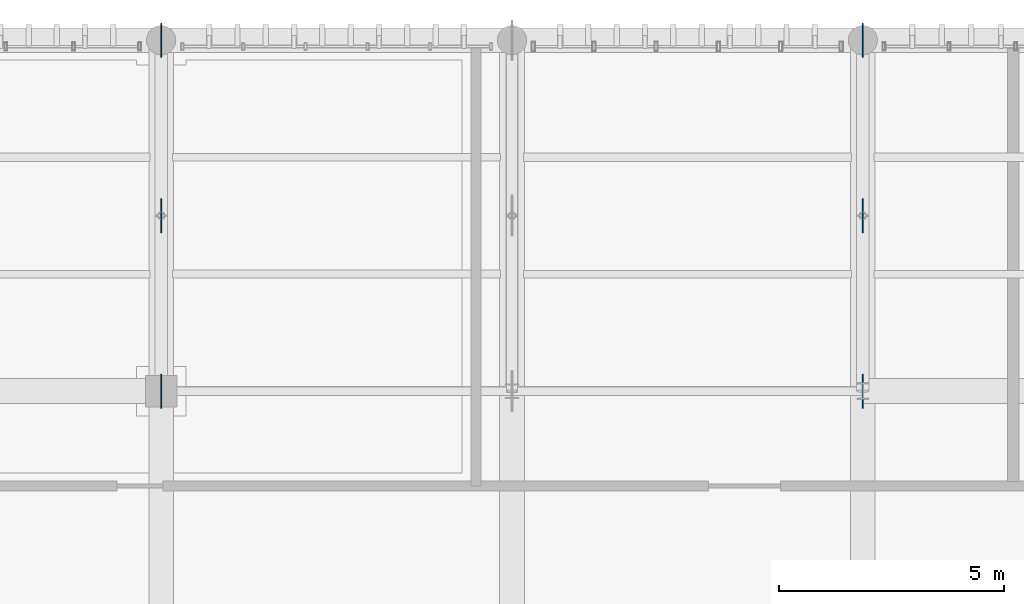
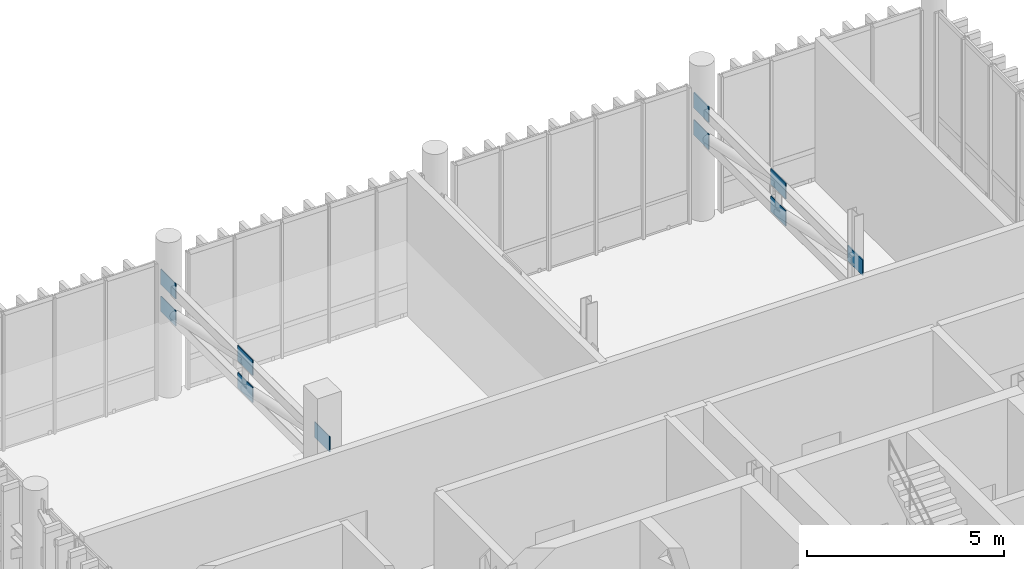
# One storey, part 69 of 81: 10 plates.
"""IFC4 building model written with IfcOpenShell, lengths in metres."""

from ifc_helpers import new_model, si_unit, direction, frame, origin_with_axes, origin_2d_with_axis, place, context, subcontext, project, spatial, rectangle, extrude, material, layer, layer_set, type_object, element, save


model = new_model("IFC4")

# Units and contexts
model_context = context("Model", 3, precision=1e-05, world=origin_with_axes(), true_north=direction((0.0, 1.0)))
body_context = subcontext(model_context, "Body", "Model", "MODEL_VIEW")
ifc_project = project(units=[si_unit("LENGTHUNIT", "METRE"), si_unit("AREAUNIT", "SQUARE_METRE"), si_unit("VOLUMEUNIT", "CUBIC_METRE"), si_unit("PLANEANGLEUNIT", "RADIAN"), si_unit("MASSUNIT", "GRAM", prefix="KILO"), si_unit("THERMODYNAMICTEMPERATUREUNIT", "KELVIN")], contexts=[model_context])

# Site, building, storey
site_placement = place(None, origin_with_axes())
site = spatial("IfcSite", under=ifc_project, at=site_placement, CompositionType="ELEMENT")
building_placement = place(site_placement, origin_with_axes())
building = spatial("IfcBuilding", under=site, at=building_placement, Name="Montbau Bow Law Courts", CompositionType="ELEMENT")
storey_placement = place(building_placement, frame((0.0, 0.0, 24.9), z_axis=(0.0, 0.0, 1.0), x_axis=(1.0, 0.0, 0.0)))
storey = spatial("IfcBuildingStorey", under=building, at=storey_placement, Name="L05", CompositionType="ELEMENT", Elevation=24.9)

# Plates
ifc_material = material(Name="Steel CSA G40.21 Grade 350W (350 MPa)", Category="steel")
ifc_layer = layer(ifc_material, 0.025, Name="Gusset Plate", Category="steel")
ifc_layer_set = layer_set([ifc_layer], Name="Steel CSA G40.21 Grade 350W (350 MPa)")
plate_type = type_object("IfcPlateType", Name="PL-GUS-02", PredefinedType="USERDEFINED", material=ifc_layer_set)
for number, where, z_axis, x_axis, name in (
    (1, (147.0, 103.2, 27.96), (0.0, 0.0, 1.0), (0.0, 1.0, 0.0), "BGP-L05-051:plt_0082"),
    (2, (147.0, 107.1, 27.12), (0.0, 0.0, 1.0), (0.0, 1.0, 0.0), "BGP-L05-052:plt_0083"),
    (3, (147.0, 107.1, 27.96), (0.0, 0.0, 1.0), (0.0, 1.0, 0.0), "BGP-L05-053:plt_0084"),
    (4, (147.0, 111.0, 27.12), (0.0, 0.0, 1.0), (0.0, 1.0, 0.0), "BGP-L05-054:plt_0085"),
    (5, (147.0, 111.0, 27.96), (0.0, 0.0, 1.0), (0.0, 1.0, 0.0), "BGP-L05-055:plt_0086"),
    (6, (162.6, 103.2, 27.96), (0.0, 0.0, 1.0), (0.0, 1.0, 0.0), "BGP-L05-061:plt_0092"),
    (7, (162.6, 107.1, 27.12), (0.0, 0.0, 1.0), (0.0, 1.0, 0.0), "BGP-L05-062:plt_0093"),
    (8, (162.6, 107.1, 27.96), (0.0, 0.0, 1.0), (0.0, 1.0, 0.0), "BGP-L05-063:plt_0094"),
    (9, (162.6, 111.0, 27.12), (0.0, 0.0, 1.0), (0.0, 1.0, 0.0), "BGP-L05-064:plt_0095"),
    (10, (162.6, 111.0, 27.96), (0.0, 0.0, 1.0), (0.0, 1.0, 0.0), "BGP-L05-065:plt_0096"),
):
    element("IfcPlate", number, at=place(None, frame(where, z_axis=z_axis, x_axis=x_axis)), inside=storey, type_object=plate_type, Name=name, ObjectType="GUSSET_PLATE", PredefinedType="USERDEFINED", context=body_context, shape_type="SweptSolid", body=[
        extrude(rectangle(XDim=0.76, YDim=0.025, at=origin_2d_with_axis()), origin_with_axes(), (0.0, 0.0, 1.0), 0.48),
    ])

save(model, "model.ifc")
